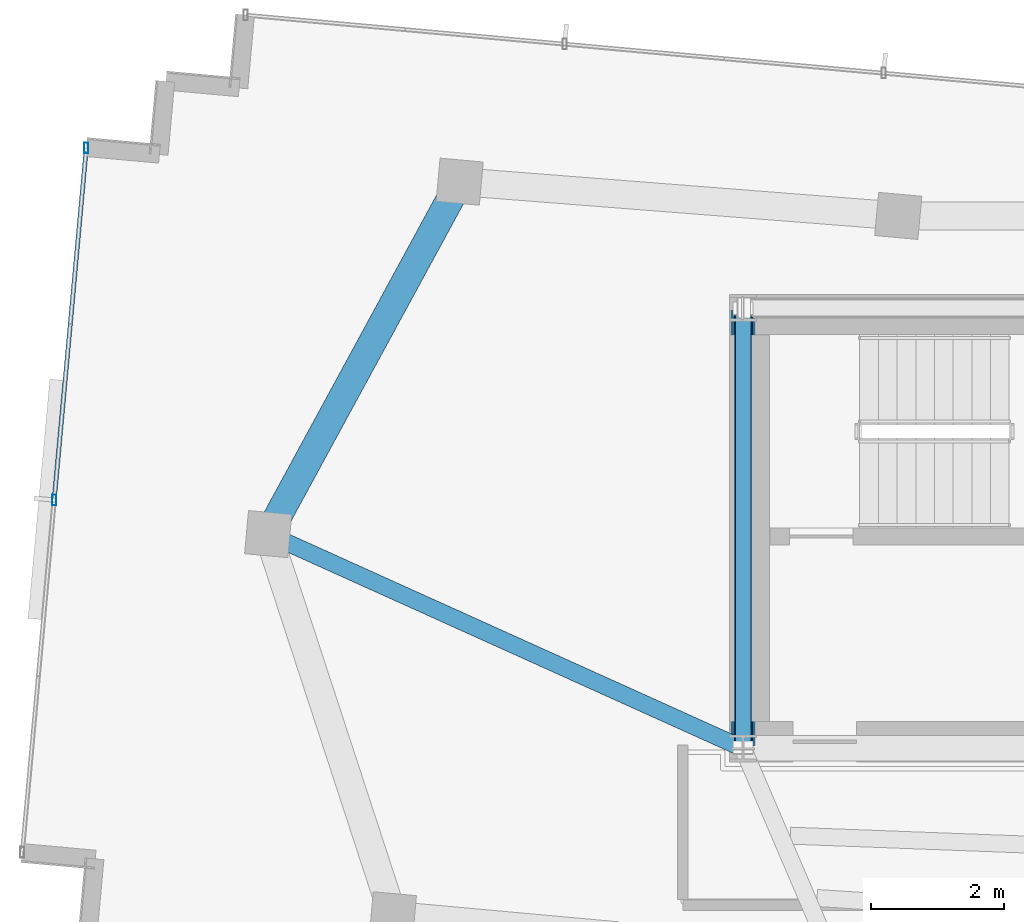
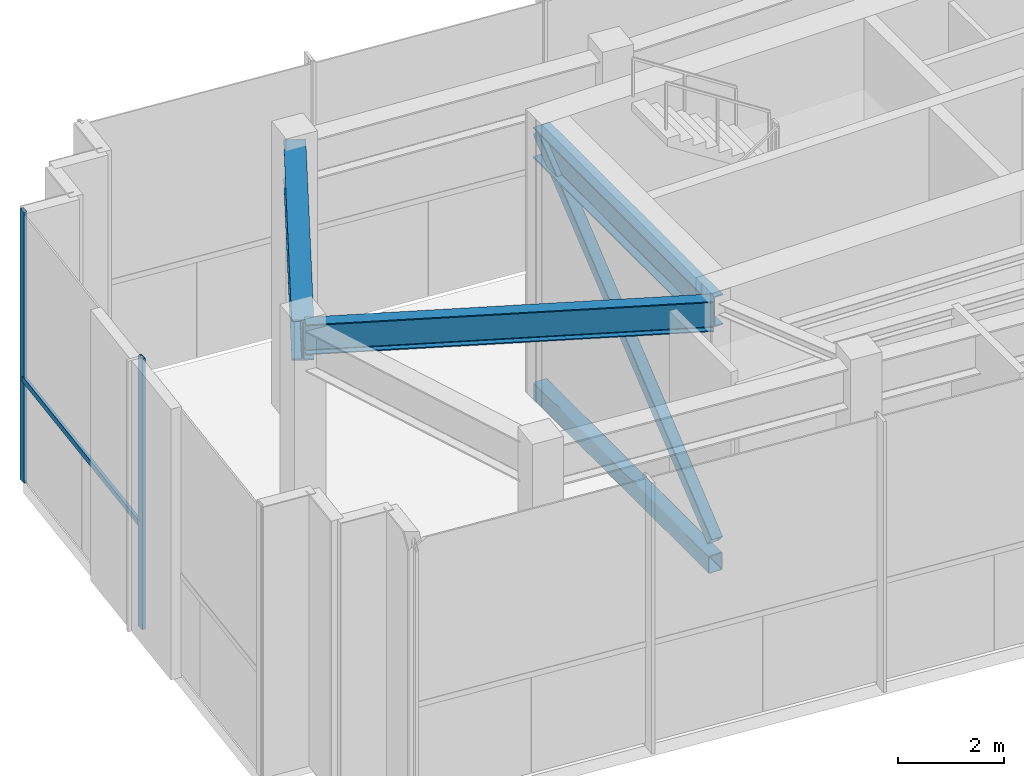
# One storey, part 4 of 19: 5 members, 3 beams, 1 element without a shape of its own.
"""IFC4 building model written with IfcOpenShell, lengths in metres."""

from ifc_helpers import new_model, si_unit, direction, frame, origin, origin_2d, place, context, subcontext, project, spatial, hollow_rectangle, i_section, extrude, source, transform, mapped, material, material_profile, profile_set, type_object, type_shapes, element, aggregate, save


model = new_model("IFC4")

# Units and contexts
model_context = context("Model", 3, precision=1e-05, world=origin(), true_north=direction((0.0, 1.0)))
body_context = subcontext(model_context, "Body", "Model", "MODEL_VIEW")
ifc_project = project(units=[si_unit("LENGTHUNIT", "METRE"), si_unit("AREAUNIT", "SQUARE_METRE"), si_unit("VOLUMEUNIT", "CUBIC_METRE"), si_unit("PLANEANGLEUNIT", "RADIAN"), si_unit("MASSUNIT", "GRAM", prefix="KILO")], contexts=[model_context])

# Site, building, storey
site_placement = place(None, origin())
site = spatial("IfcSite", under=ifc_project, at=site_placement, CompositionType="ELEMENT")
building_placement = place(site_placement, origin())
building = spatial("IfcBuilding", under=site, at=building_placement, Name="Astriad Promenade Condominiums", CompositionType="ELEMENT")
storey_placement = place(building_placement, frame((0.0, 0.0, 283.800048828125)))
storey = spatial("IfcBuildingStorey", under=building, at=storey_placement, Name="L79", CompositionType="ELEMENT", Elevation=283.800048828125)

# Beams
ifc_material_1 = material(Name="Steel ASTM A992 Grade 50", Category="steel")
ifc_material_profile_1 = material_profile(ifc_material_1, i_section(OverallWidth=0.35791015625, OverallDepth=0.706298828125, WebThickness=0.018310546875, FlangeThickness=0.0302734375, FilletRadius=0.020263671875, at=origin_2d()), Name="W27X178")
ifc_profile_set_1 = profile_set([ifc_material_profile_1], Name="Steel ASTM A992 Grade 50")
beam_type_1 = type_object("IfcBeamType", Name="STEEL FLOOR GIRDER W27X178", PredefinedType="BEAM", material=ifc_profile_set_1)
shared_shape_1 = source(origin(), body_context, "Body", "SweptSolid", [
    extrude(i_section(OverallWidth=0.35791015625, OverallDepth=0.706298828125, WebThickness=0.018310546875, FlangeThickness=0.0302734375, FilletRadius=0.020263671875, at=origin_2d()), origin(), (0.0, 0.0, 1.0), 6.52001953125),
])
type_shapes(beam_type_1, [shared_shape_1])
beam_1_placement = place(storey_placement, frame((26.39990234375, 17.43994140625, 5.86669921875), z_axis=(0.0, 1.0, 0.0), x_axis=(-1.0, 0.0, 0.0)))
element("IfcBeam", 1, at=beam_1_placement, inside=storey, type_object=beam_type_1, Name="Core Ring Beam CG-W1-L79", PredefinedType="BEAM", context=body_context, shape_type="MappedRepresentation", body=[
    mapped(shared_shape_1, transform((0.0, 0.0, 0.0), scale=1.0)),
])
ifc_material_profile_2 = material_profile(ifc_material_1, i_section(OverallWidth=0.255859375, OverallDepth=0.693115234375, WebThickness=0.014404296875, FlangeThickness=0.023681640625, FilletRadius=0.020263671875, at=origin_2d()), Name="W27X114")
ifc_profile_set_2 = profile_set([ifc_material_profile_2], Name="Steel ASTM A992 Grade 50")
beam_type_2 = type_object("IfcBeamType", Name="STEEL FLOOR GIRDER W27X114", PredefinedType="BEAM", material=ifc_profile_set_2)
shared_shape_2 = source(origin(), body_context, "Body", "SweptSolid", [
    extrude(i_section(OverallWidth=0.255859375, OverallDepth=0.693115234375, WebThickness=0.014404296875, FlangeThickness=0.023681640625, FilletRadius=0.020263671875, at=origin_2d()), origin(), (0.0, 0.0, 1.0), 7.727294921875),
])
type_shapes(beam_type_2, [shared_shape_2])
beam_2_placement = place(storey_placement, frame((19.320556640625, 20.595703125, 5.873291015625), z_axis=(0.911443223183, -0.411425875357, 0.0), x_axis=(0.411425875357, 0.911443223183, 0.0)))
element("IfcBeam", 2, at=beam_2_placement, inside=storey, type_object=beam_type_2, Name="Primary Floor Girder PG-WM-L79", PredefinedType="BEAM", context=body_context, shape_type="MappedRepresentation", body=[
    mapped(shared_shape_2, transform((0.0, 0.0, 0.0), scale=1.0)),
])
ifc_material_profile_3 = material_profile(ifc_material_1, i_section(OverallWidth=0.418212890625, OverallDepth=0.926513671875, WebThickness=0.019287109375, FlangeThickness=0.031982421875, FilletRadius=0.024169921875, at=origin_2d()), Name="W36X231")
ifc_profile_set_3 = profile_set([ifc_material_profile_3], Name="Steel ASTM A992 Grade 50")
beam_type_3 = type_object("IfcBeamType", Name="STEEL CROWN RING BEAM W36X231", PredefinedType="BEAM", material=ifc_profile_set_3)
shared_shape_3 = source(origin(), body_context, "Body", "SweptSolid", [
    extrude(i_section(OverallWidth=0.418212890625, OverallDepth=0.926513671875, WebThickness=0.019287109375, FlangeThickness=0.031982421875, FilletRadius=0.024169921875, at=origin_2d()), origin(), (0.0, 0.0, 1.0), 5.93115234375),
])
type_shapes(beam_type_3, [shared_shape_3])
beam_3_placement = place(storey_placement, frame((22.135498046875, 25.8583984375, 5.756591796875), z_axis=(-0.477527827146, -0.878616625327, 0.0), x_axis=(0.878616625327, -0.477527827146, 0.0)))
element("IfcBeam", 3, at=beam_3_placement, inside=storey, type_object=beam_type_3, Name="Perimeter Spandrel Beam SP-W2-L79", PredefinedType="BEAM", context=body_context, shape_type="MappedRepresentation", body=[
    mapped(shared_shape_3, transform((0.0, 0.0, 0.0), scale=1.0)),
])

# Members
ifc_material_2 = material(Name="Steel ASTM A500 Grade C", Category="steel")
ifc_material_profile_4 = material_profile(ifc_material_2, hollow_rectangle(XDim=0.3046875, YDim=0.406494140625, WallThickness=0.014892578125, InnerFilletRadius=0.014892578125, OuterFilletRadius=0.029541015625, at=origin_2d()), Name="HSS406X305X15.9")
ifc_profile_set_4 = profile_set([ifc_material_profile_4], Name="Steel ASTM A500 Grade C")
member_type_1 = type_object("IfcMemberType", Name="HSS CROWN RING CHORD 406X305", PredefinedType="CHORD", material=ifc_profile_set_4)
shared_shape_4 = source(origin(), body_context, "Body", "SweptSolid", [
    extrude(hollow_rectangle(XDim=0.3046875, YDim=0.406494140625, WallThickness=0.014892578125, InnerFilletRadius=0.014892578125, OuterFilletRadius=0.029541015625, at=origin_2d()), origin(), (0.0, 0.0, 1.0), 6.590087890625),
])
type_shapes(member_type_1, [shared_shape_4])
member_1_placement = place(storey_placement, frame((26.39990234375, 17.405029296875, 0.119873046875), z_axis=(0.0, 1.0, 0.0), x_axis=(-1.0, 0.0, 0.0)))
element("IfcMember", 4, at=member_1_placement, inside=storey, type_object=member_type_1, Name="Crown Ring Interior Chord HCHORD-L79-03", PredefinedType="CHORD", context=body_context, shape_type="MappedRepresentation", body=[
    mapped(shared_shape_4, transform((0.0, 0.0, 0.0), scale=1.0)),
])
ifc_material_profile_5 = material_profile(ifc_material_2, hollow_rectangle(XDim=0.25390625, YDim=0.25390625, WallThickness=0.01171875, InnerFilletRadius=0.01171875, OuterFilletRadius=0.023681640625, at=origin_2d()), Name="HSS254X254X12.7")
ifc_profile_set_5 = profile_set([ifc_material_profile_5], Name="Steel ASTM A500 Grade C")
member_type_2 = type_object("IfcMemberType", Name="HSS CROWN RING DIAGONAL 254X254", PredefinedType="BRACE", material=ifc_profile_set_5)
shared_shape_5 = source(origin(), body_context, "Body", "SweptSolid", [
    extrude(hollow_rectangle(XDim=0.25390625, YDim=0.25390625, WallThickness=0.01171875, InnerFilletRadius=0.01171875, OuterFilletRadius=0.023681640625, at=origin_2d()), origin(), (0.0, 0.0, 1.0), 8.509521484375),
])
type_shapes(member_type_2, [shared_shape_5])
member_2_placement = place(storey_placement, frame((26.39990234375, 17.419189453125, 0.6357421875), z_axis=(0.0, 0.771087298108, 0.636729439162), x_axis=(-1.0, 0.0, 0.0)))
element("IfcMember", 5, at=member_2_placement, inside=storey, type_object=member_type_2, Name="Crown Ring Interior Brace HBRACE-L79-03", PredefinedType="BRACE", context=body_context, shape_type="MappedRepresentation", body=[
    mapped(shared_shape_5, transform((0.0, 0.0, 0.0), scale=1.0)),
])

# Curtain wall, members
ifc_material_3 = material(Name="Anodised aluminium Black Dark Glass Unitised", Category="aluminium")
curtain_wall_type = type_object("IfcCurtainWallType", Name="CW-TMD-LANTERN", PredefinedType="USERDEFINED", material=ifc_material_3)
curtain_wall_placement = place(storey_placement, origin())
curtain_wall = element("IfcCurtainWall", 6, at=curtain_wall_placement, inside=storey, type_object=curtain_wall_type, Name="CW-CRN-L79-03", ObjectType="UNITISED_CURTAIN_WALL", PredefinedType="USERDEFINED")
ifc_material_4 = material(Name="Anodised aluminium 6063-T6 Black", Category="aluminium")
ifc_material_profile_6 = material_profile(ifc_material_4, hollow_rectangle(XDim=0.06494140625, YDim=0.1298828125, WallThickness=0.00390625, at=origin_2d()), Name="ALU-TRN-65X130")
ifc_profile_set_6 = profile_set([ifc_material_profile_6], Name="Anodised aluminium 6063-T6 Black")
member_type_3 = type_object("IfcMemberType", Name="TRN-ALU-TRN-65X130", PredefinedType="USERDEFINED", material=ifc_profile_set_6)
shared_shape_6 = source(origin(), body_context, "Body", "SweptSolid", [
    extrude(hollow_rectangle(XDim=0.06494140625, YDim=0.1298828125, WallThickness=0.00390625, at=origin_2d()), origin(), (0.0, 0.0, 1.0), 5.2998046875),
])
type_shapes(member_type_3, [shared_shape_6])
member_3_placement = place(storey_placement, frame((16.078125, 21.1220703125, 2.349853515625), z_axis=(0.090656194392, 0.995882249274, 0.0), x_axis=(-0.995882249274, 0.090656194392, 0.0)))
member_3 = element("IfcMember", 7, at=member_3_placement, type_object=member_type_3, Name="CW-CRN-L79-03-TRN-01-0", ObjectType="TRANSOM", PredefinedType="USERDEFINED", context=body_context, shape_type="MappedRepresentation", body=[
    mapped(shared_shape_6, transform((0.0, 0.0, 0.0), scale=1.0)),
])
ifc_material_profile_7 = material_profile(ifc_material_4, hollow_rectangle(XDim=0.06494140625, YDim=0.159912109375, WallThickness=0.00390625, at=origin_2d()), Name="ALU-MUL-65X160")
ifc_profile_set_7 = profile_set([ifc_material_profile_7], Name="Anodised aluminium 6063-T6 Black")
member_type_4 = type_object("IfcMemberType", Name="MUL-ALU-MUL-65X160", PredefinedType="MULLION", material=ifc_profile_set_7)
shared_shape_7 = source(origin(), body_context, "Body", "SweptSolid", [
    extrude(hollow_rectangle(XDim=0.06494140625, YDim=0.159912109375, WallThickness=0.00390625, at=origin_2d()), origin(), (0.0, 0.0, 1.0), 6.219970703125),
])
type_shapes(member_type_4, [shared_shape_7])
member_4_placement = place(storey_placement, frame((16.078125, 21.1220703125, 0.0), z_axis=(0.0, 0.0, 1.0), x_axis=(1.0, 0.0, 0.0)))
member_4 = element("IfcMember", 8, at=member_4_placement, type_object=member_type_4, Name="CW-CRN-L79-03-MUL-01", PredefinedType="MULLION", context=body_context, shape_type="MappedRepresentation", body=[
    mapped(shared_shape_7, transform((0.0, 0.0, 0.0), scale=1.0)),
])
member_5_placement = place(storey_placement, frame((16.55859375, 26.400146484375, 0.0), z_axis=(0.0, 0.0, 1.0), x_axis=(1.0, 0.0, 0.0)))
member_5 = element("IfcMember", 9, at=member_5_placement, type_object=member_type_4, Name="CW-CRN-L79-03-MUL-02", PredefinedType="MULLION", context=body_context, shape_type="MappedRepresentation", body=[
    mapped(shared_shape_7, transform((0.0, 0.0, 0.0), scale=1.0)),
])
aggregate(curtain_wall, [member_4, member_5, member_3])

save(model, "model.ifc")
